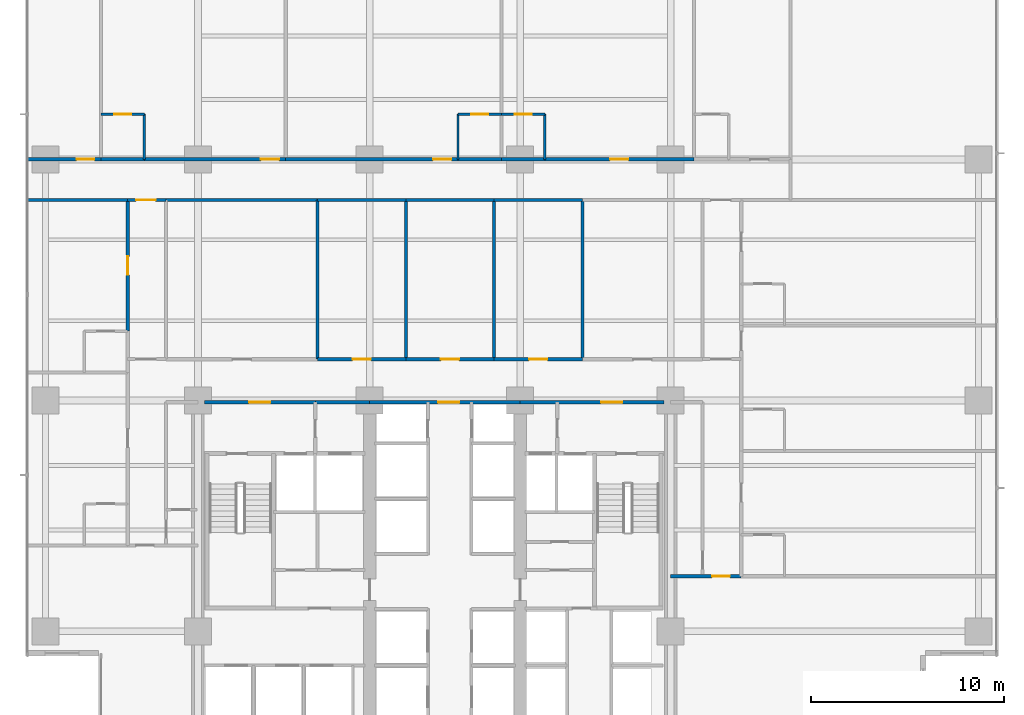
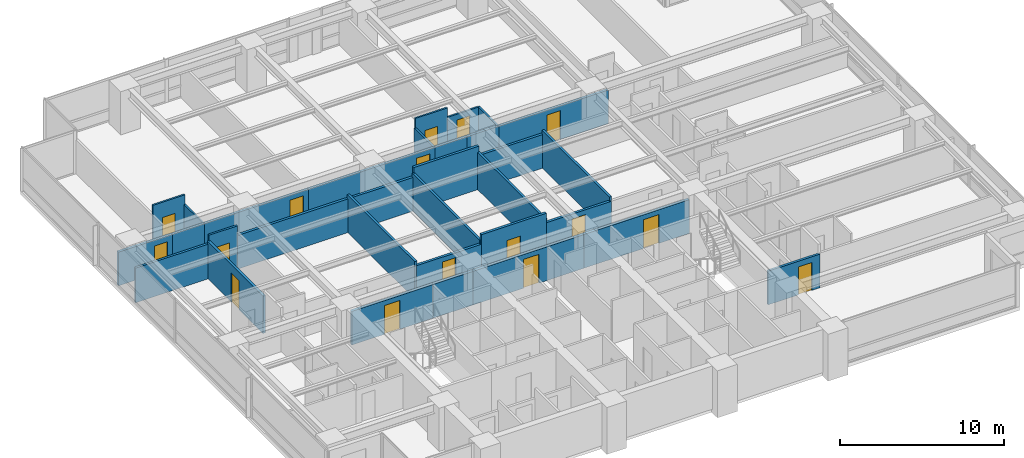
# One storey, part 9 of 17: 32 walls, 16 doors, 16 openings.
"""IFC4 building model written with IfcOpenShell, lengths in metres."""

import ifcopenshell
import ifcopenshell.guid

model = None  # the IFC model being written
_history = None  # IfcOwnerHistory: only IFC2X3 demands one
_inside = {}  # id of a spatial element -> (the spatial element, [elements in it])
_under = {}  # id of a project, library or spatial element -> (it, [spatial elements below it])
_declared = {}  # id of a project -> (the project, [libraries it declares])
_typed = {}  # id of a type object -> (the type object, [elements of that type])
_made_of = {}  # id of a material, layer set ... -> (it, [elements and type objects made of it])


def new_model(schema):
    """Start an empty IFC model of exactly this schema.

    Asked for "IFC4X3", IfcOpenShell would pick the latest addendum, in which some entities
    have other attributes; the version numbers below select the first issue.
    IFC2X3 requires an IfcOwnerHistory on every rooted entity: one is made here for all.
    """
    global model, _history
    if schema == "IFC4X3":
        model = ifcopenshell.file(schema_version=(4, 3, 0, 0))
    else:
        model = ifcopenshell.file(schema=schema)
    _inside.clear()
    _under.clear()
    _declared.clear()
    _typed.clear()
    _made_of.clear()
    _history = None
    if model.schema == "IFC2X3":
        org = make("IfcOrganization", Name="unknown")
        user = make(
            "IfcPersonAndOrganization",
            ThePerson=make("IfcPerson", FamilyName="unknown"),
            TheOrganization=org,
        )
        app = make(
            "IfcApplication",
            ApplicationDeveloper=org,
            Version="unknown",
            ApplicationFullName="unknown",
            ApplicationIdentifier="unknown",
        )
        _history = make(
            "IfcOwnerHistory",
            OwningUser=user,
            OwningApplication=app,
            ChangeAction="ADDED",
            CreationDate=0,
        )
    return model


def make(cls, **values):
    """One entity of the class cls with the attributes given. An attribute that is None is left unset."""
    return model.create_entity(
        cls, **{name: value for name, value in values.items() if value is not None}
    )


def rooted(cls, **values):
    """An entity with a GlobalId (a new one), such as an element, a storey or a relation."""
    return make(cls, GlobalId=ifcopenshell.guid.new(), OwnerHistory=_history, **values)


def si_unit(unit_type, name, prefix=None):
    """IfcSIUnit, for example si_unit("LENGTHUNIT", "METRE", prefix="MILLI")."""
    return make("IfcSIUnit", UnitType=unit_type, Prefix=prefix, Name=name)


def assignment(units):
    """IfcUnitAssignment: the units of a project."""
    return None if units is None else make("IfcUnitAssignment", Units=units)


def point(xyz):
    """IfcCartesianPoint."""
    return None if xyz is None else make("IfcCartesianPoint", Coordinates=xyz)


def direction(xyz):
    """IfcDirection."""
    return None if xyz is None else make("IfcDirection", DirectionRatios=xyz)


def frame(location, z_axis=None, x_axis=None):
    """IfcAxis2Placement3D, a coordinate frame: its origin and axes. An axis left out is left unset."""
    return make(
        "IfcAxis2Placement3D",
        Location=point(location),
        Axis=direction(z_axis),
        RefDirection=direction(x_axis),
    )


def frame_2d(location, x_axis=None):
    """IfcAxis2Placement2D, a coordinate frame in the plane: its origin and x axis."""
    return make(
        "IfcAxis2Placement2D", Location=point(location), RefDirection=direction(x_axis)
    )


def origin():
    """The frame at (0, 0, 0) with its axes left unset."""
    return frame((0.0, 0.0, 0.0))


def place(relative_to, where):
    """IfcLocalPlacement: puts the frame where relative to a parent placement (None: the world)."""
    return make(
        "IfcLocalPlacement", PlacementRelTo=relative_to, RelativePlacement=where
    )


def context(
    kind, dimensions, precision=None, world=None, true_north=None, identifier=None
):
    """IfcGeometricRepresentationContext, for example the 3D "Model" context."""
    return make(
        "IfcGeometricRepresentationContext",
        ContextIdentifier=identifier,
        ContextType=kind,
        CoordinateSpaceDimension=dimensions,
        Precision=precision,
        WorldCoordinateSystem=world,
        TrueNorth=true_north,
    )


def subcontext(parent, identifier, kind, view, scale=None):
    """IfcGeometricRepresentationSubContext, for example "Body" below "Model"."""
    return make(
        "IfcGeometricRepresentationSubContext",
        ContextIdentifier=identifier,
        ContextType=kind,
        ParentContext=parent,
        TargetScale=scale,
        TargetView=view,
    )


def project(units=None, contexts=None):
    """IfcProject with its units and contexts."""
    return rooted(
        "IfcProject",
        Name="project",
        RepresentationContexts=contexts,
        UnitsInContext=assignment(units),
    )


def spatial(cls, under=None, at=None, **own):
    """A site, building, storey or space (cls), placed at a placement, below another one or the project."""
    s = rooted(cls, ObjectPlacement=at, **own)
    if under is not None:
        _under.setdefault(under.id(), (under, []))[1].append(s)
    return s


def profile(cls, at=None, kind="AREA", **sizes):
    """A parametric profile (cls). Its sizes go by their IFC names, for example OverallWidth=200.0."""
    return make(cls, ProfileType=kind, Position=at, **sizes)


def rectangle(**sizes):
    """IfcRectangleProfileDef."""
    return profile("IfcRectangleProfileDef", **sizes)


def extrude(swept, where, along, depth):
    """IfcExtrudedAreaSolid: the profile swept, set in the frame where, extruded along a direction by depth."""
    return make(
        "IfcExtrudedAreaSolid",
        SweptArea=swept,
        Position=where,
        ExtrudedDirection=direction(along),
        Depth=depth,
    )


def shape(context_of_items, identifier, shape_type, items):
    """IfcShapeRepresentation: the items that make up one representation, for example the "Body"."""
    return make(
        "IfcShapeRepresentation",
        ContextOfItems=context_of_items,
        RepresentationIdentifier=identifier,
        RepresentationType=shape_type,
        Items=items,
    )


def material(Name=None, Category=None):
    """IfcMaterial."""
    return make("IfcMaterial", Name=Name, Category=Category)


def layer(
    of_material, thickness, ventilated=None, Name=None, Category=None, Priority=None
):
    """IfcMaterialLayer: one layer of a wall or slab, of a material (None: an air gap)."""
    return make(
        "IfcMaterialLayer",
        Material=of_material,
        LayerThickness=thickness,
        IsVentilated=ventilated,
        Name=Name,
        Category=Category,
        Priority=Priority,
    )


def layer_set(layers, Name=None):
    """IfcMaterialLayerSet."""
    return make("IfcMaterialLayerSet", MaterialLayers=layers, LayerSetName=Name)


def made_of(thing, what):
    """Note that an element or type object is made of a material, layer set ...; save() writes the relation."""
    if what is not None:
        _made_of.setdefault(what.id(), (what, []))[1].append(thing)
    return thing


def type_object(cls, material=None, **own):
    """A type object (cls), such as IfcWallType, which elements share."""
    return made_of(rooted(cls, **own), material)


def element(
    cls,
    number,
    at=None,
    inside=None,
    cuts=None,
    type_object=None,
    material=None,
    context=None,
    identifier="Body",
    shape_type=None,
    held_by="IfcProductDefinitionShape",
    body=None,
    shapes=None,
    **own,
):
    """One element of the class cls, such as IfcWall. Its Tag is "e" and its number.

    at: its placement. inside: the storey or other place that contains it. cuts: it is an
    opening in that element (IfcRelVoidsElement). A single representation is given by context,
    identifier, shape_type and body (its items); several are given by shapes. held_by: the class
    of the entity that holds the representations. save() writes the other relations.
    """
    e = rooted(cls, Tag="e%d" % number, ObjectPlacement=at, **own)
    if body is not None:
        shapes = [shape(context, identifier, shape_type, body)]
    if shapes is not None:
        e.Representation = make(held_by, Representations=shapes)
    if inside is not None:
        _inside.setdefault(inside.id(), (inside, []))[1].append(e)
    if cuts is not None:
        rooted(
            "IfcRelVoidsElement", RelatingBuildingElement=cuts, RelatedOpeningElement=e
        )
    if type_object is not None:
        _typed.setdefault(type_object.id(), (type_object, []))[1].append(e)
    return made_of(e, material)


def fill(opening, filler):
    """IfcRelFillsElement: the door or window that sits in an opening."""
    return rooted(
        "IfcRelFillsElement",
        RelatingOpeningElement=opening,
        RelatedBuildingElement=filler,
    )


def aggregate(whole, parts):
    """IfcRelAggregates: a whole, such as a stair, and the parts it consists of."""
    return rooted("IfcRelAggregates", RelatingObject=whole, RelatedObjects=parts)


def save(model, path):
    """Write the relations noted so far, then the file.

    IfcRelAggregates (storeys below a building ...), IfcRelContainedInSpatialStructure (elements
    in a storey), IfcRelDefinesByType, IfcRelAssociatesMaterial and IfcRelDeclares: one each for
    every whole, place, type object, material and project.
    """
    for whole, parts in _under.values():
        aggregate(whole, parts)
    for where, things in _inside.values():
        rooted(
            "IfcRelContainedInSpatialStructure",
            RelatedElements=things,
            RelatingStructure=where,
        )
    for kind, things in _typed.values():
        rooted("IfcRelDefinesByType", RelatedObjects=things, RelatingType=kind)
    for what, things in _made_of.values():
        rooted("IfcRelAssociatesMaterial", RelatedObjects=things, RelatingMaterial=what)
    for by, libraries in _declared.values():
        rooted("IfcRelDeclares", RelatingContext=by, RelatedDefinitions=libraries)
    model.write(path)


model = new_model("IFC4")

# Units and contexts
model_context = context("Model", 3, precision=1e-05, world=origin(), true_north=direction((0.0, 1.0)))
body_context = subcontext(model_context, "Body", "Model", "MODEL_VIEW")
ifc_project = project(units=[si_unit("LENGTHUNIT", "METRE"), si_unit("AREAUNIT", "SQUARE_METRE"), si_unit("VOLUMEUNIT", "CUBIC_METRE"), si_unit("PLANEANGLEUNIT", "RADIAN"), si_unit("MASSUNIT", "GRAM", prefix="KILO")], contexts=[model_context])

# Site, building, storey
site_placement = place(None, origin())
site = spatial("IfcSite", under=ifc_project, at=site_placement, CompositionType="ELEMENT")
building_placement = place(site_placement, origin())
building = spatial("IfcBuilding", under=site, at=building_placement, Name="Qalmaran Belvedere Hotel", CompositionType="ELEMENT")
storey_placement = place(building_placement, frame((0.0, 0.0, 47.39990234375)))
storey = spatial("IfcBuildingStorey", under=building, at=storey_placement, Name="L11", CompositionType="ELEMENT", Elevation=47.39990234375)

# Wall, opening, door
ifc_material_1 = material(Name="Moisture-Resistant Gypsum")
ifc_layer_1 = layer(ifc_material_1, 0.1201171875, Name="Moisture-Resistant Gypsum")
ifc_layer_set_1 = layer_set([ifc_layer_1], Name="Moisture-Resistant Gypsum")
wall_type_1 = type_object("IfcWallType", Name="WL-INT-120-BATH", PredefinedType="PARTITIONING", material=ifc_layer_set_1)
wall_1_placement = place(storey_placement, frame((15.27001953125, 35.35009765625, 0.0), z_axis=(0.0, 0.0, 1.0), x_axis=(1.0, 0.0, 0.0)))
wall_1 = element("IfcWall", 1, at=wall_1_placement, inside=storey, type_object=wall_type_1, Name="L11 Partition WL-L11-NBN00", PredefinedType="PARTITIONING", context=body_context, shape_type="SweptSolid", body=[
    extrude(rectangle(XDim=2.25, YDim=0.1201171875, at=frame_2d((1.125, 0.0))), origin(), (0.0, 0.0, 1.0), 3.22021484375),
])
opening_1_placement = place(wall_1_placement, frame((1.56494140625, 0.0, 0.0), z_axis=(0.0, 0.0, 1.0), x_axis=(-1.0, 0.0, 0.0)))
opening_1 = element("IfcOpeningElement", 2, at=opening_1_placement, cuts=wall_1, Name="Opening D-BATH", PredefinedType="OPENING", context=body_context, shape_type="SweptSolid", body=[
    extrude(rectangle(XDim=0.8798828125, YDim=2.080078125, at=frame_2d((0.43994140625, 1.0400390625))), frame((0.0, 0.070068359375, 0.0), z_axis=(0.0, -1.0, 0.0), x_axis=(1.0, 0.0, 0.0)), (0.0, 0.0, 1.0), 0.14013671875),
])
ifc_material_2 = material(Name="Engineered Oak Veneer")
door_type_1 = type_object("IfcDoorType", Name="DR-INT-BATH-880X2080", OperationType="NOTDEFINED", PredefinedType="DOOR", material=ifc_material_2)
door_1_placement = place(opening_1_placement, origin())
door_1 = element("IfcDoor", 3, at=door_1_placement, inside=storey, type_object=door_type_1, Name="L11 Ensuite Bathroom Door N01", OperationType="SINGLE_SWING_RIGHT", OverallHeight=2.080078125, OverallWidth=0.8798828125, PredefinedType="DOOR", context=body_context, shape_type="SweptSolid", body=[
    extrude(rectangle(XDim=0.8798828125, YDim=2.080078125, at=frame_2d((0.43994140625, 1.0400390625))), frame((0.0, 0.02490234375, 0.0), z_axis=(0.0, -1.0, 0.0), x_axis=(1.0, 0.0, 0.0)), (0.0, 0.0, 1.0), 0.050048828125),
])
fill(opening_1, door_1)

# Wall
wall_2_placement = place(storey_placement, frame((17.52001953125, 33.0, 0.0), z_axis=(0.0, 0.0, 1.0), x_axis=(0.0, 1.0, 0.0)))
element("IfcWall", 4, at=wall_2_placement, inside=storey, type_object=wall_type_1, Name="L11 Partition WL-L11-NBS00", PredefinedType="PARTITIONING", context=body_context, shape_type="SweptSolid", body=[
    extrude(rectangle(XDim=2.35009765625, YDim=0.1201171875, at=frame_2d((1.175048828125, 0.0))), origin(), (0.0, 0.0, 1.0), 2.510009765625),
])

# Wall, opening, door
wall_3_placement = place(storey_placement, frame((33.773193359375, 35.35009765625, 0.0), z_axis=(0.0, 0.0, 1.0), x_axis=(1.0, 0.0, 0.0)))
wall_3 = element("IfcWall", 5, at=wall_3_placement, inside=storey, type_object=wall_type_1, Name="L11 Partition WL-L11-NBN01", PredefinedType="PARTITIONING", context=body_context, shape_type="SweptSolid", body=[
    extrude(rectangle(XDim=2.25, YDim=0.1201171875, at=frame_2d((1.125, 0.0))), origin(), (0.0, 0.0, 1.0), 3.22021484375),
])
opening_2_placement = place(wall_3_placement, frame((1.56494140625, 0.0, 0.0), z_axis=(0.0, 0.0, 1.0), x_axis=(-1.0, 0.0, 0.0)))
opening_2 = element("IfcOpeningElement", 6, at=opening_2_placement, cuts=wall_3, Name="Opening D-BATH", PredefinedType="OPENING", context=body_context, shape_type="SweptSolid", body=[
    extrude(rectangle(XDim=0.8798828125, YDim=2.080078125, at=frame_2d((0.43994140625, 1.0400390625))), frame((0.0, 0.070068359375, 0.0), z_axis=(0.0, -1.0, 0.0), x_axis=(1.0, 0.0, 0.0)), (0.0, 0.0, 1.0), 0.14013671875),
])
door_2_placement = place(opening_2_placement, origin())
door_2 = element("IfcDoor", 7, at=door_2_placement, inside=storey, type_object=door_type_1, Name="L11 Ensuite Bathroom Door N02", OperationType="SINGLE_SWING_RIGHT", OverallHeight=2.080078125, OverallWidth=0.8798828125, PredefinedType="DOOR", context=body_context, shape_type="SweptSolid", body=[
    extrude(rectangle(XDim=0.8798828125, YDim=2.080078125, at=frame_2d((0.43994140625, 1.0400390625))), frame((0.0, 0.02490234375, 0.0), z_axis=(0.0, -1.0, 0.0), x_axis=(1.0, 0.0, 0.0)), (0.0, 0.0, 1.0), 0.050048828125),
])
fill(opening_2, door_2)

# Wall
wall_4_placement = place(storey_placement, frame((33.773193359375, 33.0, 0.0), z_axis=(0.0, 0.0, 1.0), x_axis=(0.0, 1.0, 0.0)))
element("IfcWall", 8, at=wall_4_placement, inside=storey, type_object=wall_type_1, Name="L11 Partition WL-L11-NBS01", PredefinedType="PARTITIONING", context=body_context, shape_type="SweptSolid", body=[
    extrude(rectangle(XDim=2.35009765625, YDim=0.1201171875, at=frame_2d((1.175048828125, 0.0))), origin(), (0.0, 0.0, 1.0), 2.510009765625),
])

# Wall, opening, door
wall_5_placement = place(storey_placement, frame((36.023193359375, 35.35009765625, 0.0), z_axis=(0.0, 0.0, 1.0), x_axis=(1.0, 0.0, 0.0)))
wall_5 = element("IfcWall", 9, at=wall_5_placement, inside=storey, type_object=wall_type_1, Name="L11 Partition WL-L11-NBN02", PredefinedType="PARTITIONING", context=body_context, shape_type="SweptSolid", body=[
    extrude(rectangle(XDim=2.25, YDim=0.1201171875, at=frame_2d((1.125, 0.0))), origin(), (0.0, 0.0, 1.0), 2.510009765625),
])
opening_3_placement = place(wall_5_placement, frame((1.56494140625, 0.0, 0.0), z_axis=(0.0, 0.0, 1.0), x_axis=(-1.0, 0.0, 0.0)))
opening_3 = element("IfcOpeningElement", 10, at=opening_3_placement, cuts=wall_5, Name="Opening D-BATH", PredefinedType="OPENING", context=body_context, shape_type="SweptSolid", body=[
    extrude(rectangle(XDim=0.8798828125, YDim=2.080078125, at=frame_2d((0.43994140625, 1.0400390625))), frame((0.0, 0.070068359375, 0.0), z_axis=(0.0, -1.0, 0.0), x_axis=(1.0, 0.0, 0.0)), (0.0, 0.0, 1.0), 0.14013671875),
])
door_3_placement = place(opening_3_placement, origin())
door_3 = element("IfcDoor", 11, at=door_3_placement, inside=storey, type_object=door_type_1, Name="L11 Ensuite Bathroom Door N03", OperationType="SINGLE_SWING_RIGHT", OverallHeight=2.080078125, OverallWidth=0.8798828125, PredefinedType="DOOR", context=body_context, shape_type="SweptSolid", body=[
    extrude(rectangle(XDim=0.8798828125, YDim=2.080078125, at=frame_2d((0.43994140625, 1.0400390625))), frame((0.0, 0.02490234375, 0.0), z_axis=(0.0, -1.0, 0.0), x_axis=(1.0, 0.0, 0.0)), (0.0, 0.0, 1.0), 0.050048828125),
])
fill(opening_3, door_3)

# Wall
wall_6_placement = place(storey_placement, frame((38.273193359375, 33.0, 0.0), z_axis=(0.0, 0.0, 1.0), x_axis=(0.0, 1.0, 0.0)))
element("IfcWall", 12, at=wall_6_placement, inside=storey, type_object=wall_type_1, Name="L11 Partition WL-L11-NBS02", PredefinedType="PARTITIONING", context=body_context, shape_type="SweptSolid", body=[
    extrude(rectangle(XDim=2.35009765625, YDim=0.1201171875, at=frame_2d((1.175048828125, 0.0))), origin(), (0.0, 0.0, 1.0), 2.510009765625),
])

# Wall, opening, door
ifc_material_3 = material(Name="Gypsum Stud Partition")
ifc_layer_2 = layer(ifc_material_3, 0.14990234375, Name="Gypsum Stud Partition")
ifc_layer_set_2 = layer_set([ifc_layer_2], Name="Gypsum Stud Partition")
wall_type_2 = type_object("IfcWallType", Name="WL-INT-150-EI60", PredefinedType="PARTITIONING", material=ifc_layer_set_2)
wall_7_placement = place(storey_placement, frame((16.64990234375, 30.89990234375, 0.0), z_axis=(0.0, 0.0, 1.0), x_axis=(1.0, 0.0, 0.0)))
wall_7 = element("IfcWall", 13, at=wall_7_placement, inside=storey, type_object=wall_type_2, Name="L11 Partition WL-L11-XCW2", PredefinedType="PARTITIONING", context=body_context, shape_type="SweptSolid", body=[
    extrude(rectangle(XDim=2.0, YDim=0.14990234375, at=frame_2d((1.0, 0.0))), origin(), (0.0, 0.0, 1.0), 3.22021484375),
])
opening_4_placement = place(wall_7_placement, frame((0.449951171875, 0.0, 0.0)))
opening_4 = element("IfcOpeningElement", 14, at=opening_4_placement, cuts=wall_7, Name="Opening FD90B", PredefinedType="OPENING", context=body_context, shape_type="SweptSolid", body=[
    extrude(rectangle(XDim=1.0, YDim=2.14990234375, at=frame_2d((0.5, 1.074951171875))), frame((0.0, 0.0849609375, 0.0), z_axis=(0.0, -1.0, 0.0), x_axis=(1.0, 0.0, 0.0)), (0.0, 0.0, 1.0), 0.169921875),
])
ifc_material_4 = material(Name="Steel S355JR", Category="steel")
door_type_2 = type_object("IfcDoorType", Name="DR-FD90B-1000X2150", OperationType="NOTDEFINED", PredefinedType="DOOR", material=ifc_material_4)
door_4_placement = place(opening_4_placement, origin())
door_4 = element("IfcDoor", 15, at=door_4_placement, inside=storey, type_object=door_type_2, Name="L11 West Corridor Smoke Door N", OperationType="SINGLE_SWING_RIGHT", OverallHeight=2.14990234375, OverallWidth=1.0, PredefinedType="DOOR", context=body_context, shape_type="SweptSolid", body=[
    extrude(rectangle(XDim=1.0, YDim=2.14990234375, at=frame_2d((0.5, 1.074951171875))), frame((0.0, 0.02490234375, 0.0), z_axis=(0.0, -1.0, 0.0), x_axis=(1.0, 0.0, 0.0)), (0.0, 0.0, 1.0), 0.050048828125),
])
fill(opening_4, door_4)

ifc_layer_3 = layer(ifc_material_3, 0.159912109375, Name="Gypsum Stud Partition")
ifc_layer_set_3 = layer_set([ifc_layer_3], Name="Gypsum Stud Partition")
wall_type_3 = type_object("IfcWallType", Name="WL-INT-160-EI60", PredefinedType="PARTITIONING", material=ifc_layer_set_3)
wall_8_placement = place(storey_placement, frame((44.800048828125, 11.39990234375, 0.0), z_axis=(0.0, 0.0, 1.0), x_axis=(1.0, 0.0, 0.0)))
wall_8 = element("IfcWall", 16, at=wall_8_placement, inside=storey, type_object=wall_type_3, Name="L11 Partition WL-L11-SERL", PredefinedType="PARTITIONING", context=body_context, shape_type="SweptSolid", body=[
    extrude(rectangle(XDim=3.64990234375, YDim=0.159912109375, at=frame_2d((1.824951171875, 0.0))), origin(), (0.0, 0.0, 1.0), 2.510009765625),
])
opening_5_placement = place(wall_8_placement, frame((3.06982421875, 0.0, 0.0), z_axis=(0.0, 0.0, 1.0), x_axis=(-1.0, 0.0, 0.0)))
opening_5 = element("IfcOpeningElement", 17, at=opening_5_placement, cuts=wall_8, Name="Opening FD60S1", PredefinedType="OPENING", context=body_context, shape_type="SweptSolid", body=[
    extrude(rectangle(XDim=0.919921875, YDim=2.080078125, at=frame_2d((0.4599609375, 1.0400390625))), frame((0.0, 0.08984375, 0.0), z_axis=(0.0, -1.0, 0.0), x_axis=(1.0, 0.0, 0.0)), (0.0, 0.0, 1.0), 0.179931640625),
])
door_type_3 = type_object("IfcDoorType", Name="DR-FD60S-920X2080", OperationType="NOTDEFINED", PredefinedType="DOOR", material=ifc_material_2)
door_5_placement = place(opening_5_placement, origin())
door_5 = element("IfcDoor", 18, at=door_5_placement, inside=storey, type_object=door_type_3, Name="L11 SE Lounge Door", OperationType="SINGLE_SWING_RIGHT", OverallHeight=2.080078125, OverallWidth=0.919921875, PredefinedType="DOOR", context=body_context, shape_type="SweptSolid", body=[
    extrude(rectangle(XDim=0.919921875, YDim=2.080078125, at=frame_2d((0.4599609375, 1.0400390625))), frame((0.0, 0.02490234375, 0.0), z_axis=(0.0, -1.0, 0.0), x_axis=(1.0, 0.0, 0.0)), (0.0, 0.0, 1.0), 0.050048828125),
])
fill(opening_5, door_5)

# Walls
for number, where, z_axis, x_axis, name in (
    (19, (26.5, 22.64990234375, 0.0), (0.0, 0.0, 1.0), (0.0, 1.0, 0.0), "L11 Partition WL-L11-MIDVR1"),
    (20, (31.074951171875, 22.64990234375, 0.0), (0.0, 0.0, 1.0), (0.0, 1.0, 0.0), "L11 Partition WL-L11-MIDVR2"),
    (21, (35.64990234375, 22.64990234375, 0.0), (0.0, 0.0, 1.0), (0.0, 1.0, 0.0), "L11 Partition WL-L11-MIDVR3"),
    (22, (40.22509765625, 22.64990234375, 0.0), (0.0, 0.0, 1.0), (0.0, 1.0, 0.0), "L11 Partition WL-L11-MIDVR4"),
):
    element("IfcWall", number, at=place(storey_placement, frame(where, z_axis=z_axis, x_axis=x_axis)), inside=storey, type_object=wall_type_3, Name=name, PredefinedType="PARTITIONING", context=body_context, shape_type="SweptSolid", body=[
        extrude(rectangle(XDim=8.25, YDim=0.159912109375, at=frame_2d((4.125, 0.0))), origin(), (0.0, 0.0, 1.0), 2.7880859375),
    ])
wall_9_placement = place(storey_placement, frame((11.469970703125, 30.89990234375, 0.0), z_axis=(0.0, 0.0, 1.0), x_axis=(1.0, 0.0, 0.0)))
element("IfcWall", 23, at=wall_9_placement, inside=storey, type_object=wall_type_3, Name="L11 Partition WL-L11-WU01", PredefinedType="PARTITIONING", context=body_context, shape_type="SweptSolid", body=[
    extrude(rectangle(XDim=5.179931640625, YDim=0.159912109375, at=frame_2d((2.58984375, 0.0))), origin(), (0.0, 0.0, 1.0), 2.5830078125),
])
ifc_layer_4 = layer(ifc_material_3, 0.179931640625, Name="Gypsum Stud Partition")
ifc_layer_set_4 = layer_set([ifc_layer_4], Name="Gypsum Stud Partition")
wall_type_4 = type_object("IfcWallType", Name="WL-INT-180-EI60", PredefinedType="PARTITIONING", material=ifc_layer_set_4)
wall_10_placement = place(storey_placement, frame((18.64990234375, 30.89990234375, 0.0), z_axis=(0.0, 0.0, 1.0), x_axis=(1.0, 0.0, 0.0)))
element("IfcWall", 24, at=wall_10_placement, inside=storey, type_object=wall_type_4, Name="L11 Partition WL-L11-MIDO1", PredefinedType="PARTITIONING", context=body_context, shape_type="SweptSolid", body=[
    extrude(rectangle(XDim=7.85009765625, YDim=0.179931640625, at=frame_2d((3.925048828125, 0.0))), origin(), (0.0, 0.0, 1.0), 2.510009765625),
])

# Wall, opening, door
wall_11_placement = place(storey_placement, frame((26.5, 22.64990234375, 0.0), z_axis=(0.0, 0.0, 1.0), x_axis=(1.0, 0.0, 0.0)))
wall_11 = element("IfcWall", 25, at=wall_11_placement, inside=storey, type_object=wall_type_4, Name="L11 Partition WL-L11-MIDD2", PredefinedType="PARTITIONING", context=body_context, shape_type="SweptSolid", body=[
    extrude(rectangle(XDim=4.574951171875, YDim=0.179931640625, at=frame_2d((2.28759765625, 0.0))), origin(), (0.0, 0.0, 1.0), 2.510009765625),
])
opening_6_placement = place(wall_11_placement, frame((1.8125, 0.0, 0.0)))
opening_6 = element("IfcOpeningElement", 26, at=opening_6_placement, cuts=wall_11, Name="Opening FD60", PredefinedType="OPENING", context=body_context, shape_type="SweptSolid", body=[
    extrude(rectangle(XDim=0.949951171875, YDim=2.14990234375, at=frame_2d((0.47509765625, 1.074951171875))), frame((0.0, 0.10009765625, 0.0), z_axis=(0.0, -1.0, 0.0), x_axis=(1.0, 0.0, 0.0)), (0.0, 0.0, 1.0), 0.199951171875),
])
door_type_4 = type_object("IfcDoorType", Name="DR-FD60-950X2150", OperationType="NOTDEFINED", PredefinedType="DOOR", material=ifc_material_2)
door_6_placement = place(opening_6_placement, origin())
door_6 = element("IfcDoor", 27, at=door_6_placement, inside=storey, type_object=door_type_4, Name="L11 Valet Closet Door", OperationType="SINGLE_SWING_RIGHT", OverallHeight=2.14990234375, OverallWidth=0.949951171875, PredefinedType="DOOR", context=body_context, shape_type="SweptSolid", body=[
    extrude(rectangle(XDim=0.949951171875, YDim=2.14990234375, at=frame_2d((0.47509765625, 1.074951171875))), frame((0.0, 0.02490234375, 0.0), z_axis=(0.0, -1.0, 0.0), x_axis=(1.0, 0.0, 0.0)), (0.0, 0.0, 1.0), 0.050048828125),
])
fill(opening_6, door_6)

# Wall
wall_12_placement = place(storey_placement, frame((26.5, 30.89990234375, 0.0), z_axis=(0.0, 0.0, 1.0), x_axis=(1.0, 0.0, 0.0)))
element("IfcWall", 28, at=wall_12_placement, inside=storey, type_object=wall_type_4, Name="L11 Partition WL-L11-MIDO2", PredefinedType="PARTITIONING", context=body_context, shape_type="SweptSolid", body=[
    extrude(rectangle(XDim=4.574951171875, YDim=0.179931640625, at=frame_2d((2.28759765625, 0.0))), origin(), (0.0, 0.0, 1.0), 2.510009765625),
])

# Wall, opening, door
wall_13_placement = place(storey_placement, frame((31.074951171875, 22.64990234375, 0.0), z_axis=(0.0, 0.0, 1.0), x_axis=(1.0, 0.0, 0.0)))
wall_13 = element("IfcWall", 29, at=wall_13_placement, inside=storey, type_object=wall_type_4, Name="L11 Partition WL-L11-MIDD3", PredefinedType="PARTITIONING", context=body_context, shape_type="SweptSolid", body=[
    extrude(rectangle(XDim=4.574951171875, YDim=0.179931640625, at=frame_2d((2.28759765625, 0.0))), origin(), (0.0, 0.0, 1.0), 3.22021484375),
])
opening_7_placement = place(wall_13_placement, frame((1.8125, 0.0, 0.0)))
opening_7 = element("IfcOpeningElement", 30, at=opening_7_placement, cuts=wall_13, Name="Opening FD60", PredefinedType="OPENING", context=body_context, shape_type="SweptSolid", body=[
    extrude(rectangle(XDim=0.949951171875, YDim=2.14990234375, at=frame_2d((0.47509765625, 1.074951171875))), frame((0.0, 0.10009765625, 0.0), z_axis=(0.0, -1.0, 0.0), x_axis=(1.0, 0.0, 0.0)), (0.0, 0.0, 1.0), 0.199951171875),
])
door_7_placement = place(opening_7_placement, origin())
door_7 = element("IfcDoor", 31, at=door_7_placement, inside=storey, type_object=door_type_4, Name="L11 Luggage Store Door", OperationType="SINGLE_SWING_LEFT", OverallHeight=2.14990234375, OverallWidth=0.949951171875, PredefinedType="DOOR", context=body_context, shape_type="SweptSolid", body=[
    extrude(rectangle(XDim=0.949951171875, YDim=2.14990234375, at=frame_2d((0.47509765625, 1.074951171875))), frame((0.0, 0.02490234375, 0.0), z_axis=(0.0, -1.0, 0.0), x_axis=(1.0, 0.0, 0.0)), (0.0, 0.0, 1.0), 0.050048828125),
])
fill(opening_7, door_7)

# Wall
wall_14_placement = place(storey_placement, frame((31.074951171875, 30.89990234375, 0.0), z_axis=(0.0, 0.0, 1.0), x_axis=(1.0, 0.0, 0.0)))
element("IfcWall", 32, at=wall_14_placement, inside=storey, type_object=wall_type_4, Name="L11 Partition WL-L11-MIDO3", PredefinedType="PARTITIONING", context=body_context, shape_type="SweptSolid", body=[
    extrude(rectangle(XDim=4.574951171875, YDim=0.179931640625, at=frame_2d((2.28759765625, 0.0))), origin(), (0.0, 0.0, 1.0), 3.22021484375),
])

# Wall, opening, door
wall_15_placement = place(storey_placement, frame((35.64990234375, 22.64990234375, 0.0), z_axis=(0.0, 0.0, 1.0), x_axis=(1.0, 0.0, 0.0)))
wall_15 = element("IfcWall", 33, at=wall_15_placement, inside=storey, type_object=wall_type_4, Name="L11 Partition WL-L11-MIDD4", PredefinedType="PARTITIONING", context=body_context, shape_type="SweptSolid", body=[
    extrude(rectangle(XDim=4.5751953125, YDim=0.179931640625, at=frame_2d((2.28759765625, 0.0))), origin(), (0.0, 0.0, 1.0), 2.510009765625),
])
opening_8_placement = place(wall_15_placement, frame((1.8125, 0.0, 0.0)))
opening_8 = element("IfcOpeningElement", 34, at=opening_8_placement, cuts=wall_15, Name="Opening FD60", PredefinedType="OPENING", context=body_context, shape_type="SweptSolid", body=[
    extrude(rectangle(XDim=0.949951171875, YDim=2.14990234375, at=frame_2d((0.47509765625, 1.074951171875))), frame((0.0, 0.10009765625, 0.0), z_axis=(0.0, -1.0, 0.0), x_axis=(1.0, 0.0, 0.0)), (0.0, 0.0, 1.0), 0.199951171875),
])
door_8_placement = place(opening_8_placement, origin())
door_8 = element("IfcDoor", 35, at=door_8_placement, inside=storey, type_object=door_type_4, Name="L11 Linen Store Door", OperationType="SINGLE_SWING_RIGHT", OverallHeight=2.14990234375, OverallWidth=0.949951171875, PredefinedType="DOOR", context=body_context, shape_type="SweptSolid", body=[
    extrude(rectangle(XDim=0.949951171875, YDim=2.14990234375, at=frame_2d((0.47509765625, 1.074951171875))), frame((0.0, 0.02490234375, 0.0), z_axis=(0.0, -1.0, 0.0), x_axis=(1.0, 0.0, 0.0)), (0.0, 0.0, 1.0), 0.050048828125),
])
fill(opening_8, door_8)

# Walls
wall_16_placement = place(storey_placement, frame((35.64990234375, 30.89990234375, 0.0), z_axis=(0.0, 0.0, 1.0), x_axis=(1.0, 0.0, 0.0)))
element("IfcWall", 36, at=wall_16_placement, inside=storey, type_object=wall_type_4, Name="L11 Partition WL-L11-MIDO4", PredefinedType="PARTITIONING", context=body_context, shape_type="SweptSolid", body=[
    extrude(rectangle(XDim=4.5751953125, YDim=0.179931640625, at=frame_2d((2.28759765625, 0.0))), origin(), (0.0, 0.0, 1.0), 2.510009765625),
])
wall_17_placement = place(storey_placement, frame((15.27001953125, 33.0, 0.0), z_axis=(0.0, 0.0, 1.0), x_axis=(1.0, 0.0, 0.0)))
element("IfcWall", 37, at=wall_17_placement, inside=storey, type_object=wall_type_4, Name="L11 Partition WL-L11-NBC00", PredefinedType="PARTITIONING", context=body_context, shape_type="SweptSolid", body=[
    extrude(rectangle(XDim=2.25, YDim=0.179931640625, at=frame_2d((1.125, 0.0))), origin(), (0.0, 0.0, 1.0), 2.510009765625),
])

# Wall, opening, door
wall_18_placement = place(storey_placement, frame((17.52001953125, 33.0, 0.0), z_axis=(0.0, 0.0, 1.0), x_axis=(1.0, 0.0, 0.0)))
wall_18 = element("IfcWall", 38, at=wall_18_placement, inside=storey, type_object=wall_type_4, Name="L11 Partition WL-L11-NEC00", PredefinedType="PARTITIONING", context=body_context, shape_type="SweptSolid", body=[
    extrude(rectangle(XDim=7.328369140625, YDim=0.179931640625, at=frame_2d((3.6640625, 0.0))), origin(), (0.0, 0.0, 1.0), 2.510009765625),
])
opening_9_placement = place(wall_18_placement, frame((6.03955078125, 0.0, 0.0)))
opening_9 = element("IfcOpeningElement", 39, at=opening_9_placement, cuts=wall_18, Name="Opening FD60", PredefinedType="OPENING", context=body_context, shape_type="SweptSolid", body=[
    extrude(rectangle(XDim=0.949951171875, YDim=2.14990234375, at=frame_2d((0.47509765625, 1.074951171875))), frame((0.0, 0.10009765625, 0.0), z_axis=(0.0, -1.0, 0.0), x_axis=(1.0, 0.0, 0.0)), (0.0, 0.0, 1.0), 0.199951171875),
])
door_9_placement = place(opening_9_placement, origin())
door_9 = element("IfcDoor", 40, at=door_9_placement, inside=storey, type_object=door_type_4, Name="L11 Guest Entrance Door N01", OperationType="SINGLE_SWING_LEFT", OverallHeight=2.14990234375, OverallWidth=0.949951171875, PredefinedType="DOOR", context=body_context, shape_type="SweptSolid", body=[
    extrude(rectangle(XDim=0.949951171875, YDim=2.14990234375, at=frame_2d((0.47509765625, 1.074951171875))), frame((0.0, 0.02490234375, 0.0), z_axis=(0.0, -1.0, 0.0), x_axis=(1.0, 0.0, 0.0)), (0.0, 0.0, 1.0), 0.050048828125),
])
fill(opening_9, door_9)

# Wall
wall_19_placement = place(storey_placement, frame((33.773193359375, 33.0, 0.0), z_axis=(0.0, 0.0, 1.0), x_axis=(1.0, 0.0, 0.0)))
element("IfcWall", 41, at=wall_19_placement, inside=storey, type_object=wall_type_4, Name="L11 Partition WL-L11-NBC01", PredefinedType="PARTITIONING", context=body_context, shape_type="SweptSolid", body=[
    extrude(rectangle(XDim=2.25, YDim=0.179931640625, at=frame_2d((1.125, 0.0))), origin(), (0.0, 0.0, 1.0), 2.510009765625),
])

# Wall, opening, door
wall_20_placement = place(storey_placement, frame((24.848388671875, 33.0, 0.0), z_axis=(0.0, 0.0, 1.0), x_axis=(1.0, 0.0, 0.0)))
wall_20 = element("IfcWall", 42, at=wall_20_placement, inside=storey, type_object=wall_type_4, Name="L11 Partition WL-L11-NEC01", PredefinedType="PARTITIONING", context=body_context, shape_type="SweptSolid", body=[
    extrude(rectangle(XDim=8.9248046875, YDim=0.179931640625, at=frame_2d((4.46240234375, 0.0))), origin(), (0.0, 0.0, 1.0), 2.510009765625),
])
opening_10_placement = place(wall_20_placement, frame((7.63525390625, 0.0, 0.0)))
opening_10 = element("IfcOpeningElement", 43, at=opening_10_placement, cuts=wall_20, Name="Opening FD60", PredefinedType="OPENING", context=body_context, shape_type="SweptSolid", body=[
    extrude(rectangle(XDim=0.949951171875, YDim=2.14990234375, at=frame_2d((0.47509765625, 1.074951171875))), frame((0.0, 0.10009765625, 0.0), z_axis=(0.0, -1.0, 0.0), x_axis=(1.0, 0.0, 0.0)), (0.0, 0.0, 1.0), 0.199951171875),
])
door_10_placement = place(opening_10_placement, origin())
door_10 = element("IfcDoor", 44, at=door_10_placement, inside=storey, type_object=door_type_4, Name="L11 Guest Entrance Door N02", OperationType="SINGLE_SWING_LEFT", OverallHeight=2.14990234375, OverallWidth=0.949951171875, PredefinedType="DOOR", context=body_context, shape_type="SweptSolid", body=[
    extrude(rectangle(XDim=0.949951171875, YDim=2.14990234375, at=frame_2d((0.47509765625, 1.074951171875))), frame((0.0, 0.02490234375, 0.0), z_axis=(0.0, -1.0, 0.0), x_axis=(1.0, 0.0, 0.0)), (0.0, 0.0, 1.0), 0.050048828125),
])
fill(opening_10, door_10)

# Wall
wall_21_placement = place(storey_placement, frame((36.023193359375, 33.0, 0.0), z_axis=(0.0, 0.0, 1.0), x_axis=(1.0, 0.0, 0.0)))
element("IfcWall", 45, at=wall_21_placement, inside=storey, type_object=wall_type_4, Name="L11 Partition WL-L11-NBC02", PredefinedType="PARTITIONING", context=body_context, shape_type="SweptSolid", body=[
    extrude(rectangle(XDim=2.25, YDim=0.179931640625, at=frame_2d((1.125, 0.0))), origin(), (0.0, 0.0, 1.0), 2.510009765625),
])

# Wall, opening, door
wall_22_placement = place(storey_placement, frame((38.273193359375, 33.0, 0.0), z_axis=(0.0, 0.0, 1.0), x_axis=(1.0, 0.0, 0.0)))
wall_22 = element("IfcWall", 46, at=wall_22_placement, inside=storey, type_object=wall_type_4, Name="L11 Partition WL-L11-NEC02", PredefinedType="PARTITIONING", context=body_context, shape_type="SweptSolid", body=[
    extrude(rectangle(XDim=7.7275390625, YDim=0.179931640625, at=frame_2d((3.86376953125, 0.0))), origin(), (0.0, 0.0, 1.0), 2.510009765625),
])
opening_11_placement = place(wall_22_placement, frame((3.388671875, 0.0, 0.0)))
opening_11 = element("IfcOpeningElement", 47, at=opening_11_placement, cuts=wall_22, Name="Opening FD60", PredefinedType="OPENING", context=body_context, shape_type="SweptSolid", body=[
    extrude(rectangle(XDim=0.949951171875, YDim=2.14990234375, at=frame_2d((0.47509765625, 1.074951171875))), frame((0.0, 0.10009765625, 0.0), z_axis=(0.0, -1.0, 0.0), x_axis=(1.0, 0.0, 0.0)), (0.0, 0.0, 1.0), 0.199951171875),
])
door_11_placement = place(opening_11_placement, origin())
door_11 = element("IfcDoor", 48, at=door_11_placement, inside=storey, type_object=door_type_4, Name="L11 Guest Entrance Door N03", OperationType="SINGLE_SWING_LEFT", OverallHeight=2.14990234375, OverallWidth=0.949951171875, PredefinedType="DOOR", context=body_context, shape_type="SweptSolid", body=[
    extrude(rectangle(XDim=0.949951171875, YDim=2.14990234375, at=frame_2d((0.47509765625, 1.074951171875))), frame((0.0, 0.02490234375, 0.0), z_axis=(0.0, -1.0, 0.0), x_axis=(1.0, 0.0, 0.0)), (0.0, 0.0, 1.0), 0.050048828125),
])
fill(opening_11, door_11)

wall_23_placement = place(storey_placement, frame((16.64990234375, 24.10009765625, 0.0), z_axis=(0.0, 0.0, 1.0), x_axis=(0.0, 1.0, 0.0)))
wall_23 = element("IfcWall", 49, at=wall_23_placement, inside=storey, type_object=wall_type_4, Name="L11 Partition WL-L11-WEC01", PredefinedType="PARTITIONING", context=body_context, shape_type="SweptSolid", body=[
    extrude(rectangle(XDim=6.7998046875, YDim=0.179931640625, at=frame_2d((3.39990234375, 0.0))), origin(), (0.0, 0.0, 1.0), 2.7880859375),
])
opening_12_placement = place(wall_23_placement, frame((2.925048828125, 0.0, 0.0)))
opening_12 = element("IfcOpeningElement", 50, at=opening_12_placement, cuts=wall_23, Name="Opening FD60", PredefinedType="OPENING", context=body_context, shape_type="SweptSolid", body=[
    extrude(rectangle(XDim=0.949951171875, YDim=2.14990234375, at=frame_2d((0.47509765625, 1.074951171875))), frame((0.0, 0.10009765625, 0.0), z_axis=(0.0, -1.0, 0.0), x_axis=(1.0, 0.0, 0.0)), (0.0, 0.0, 1.0), 0.199951171875),
])
door_12_placement = place(opening_12_placement, origin())
door_12 = element("IfcDoor", 51, at=door_12_placement, inside=storey, type_object=door_type_4, Name="L11 W Wing Door 02", OperationType="SINGLE_SWING_LEFT", OverallHeight=2.14990234375, OverallWidth=0.949951171875, PredefinedType="DOOR", context=body_context, shape_type="SweptSolid", body=[
    extrude(rectangle(XDim=0.949951171875, YDim=2.14990234375, at=frame_2d((0.47509765625, 1.074951171875))), frame((0.0, 0.02490234375, 0.0), z_axis=(0.0, -1.0, 0.0), x_axis=(1.0, 0.0, 0.0)), (0.0, 0.0, 1.0), 0.050048828125),
])
fill(opening_12, door_12)

wall_24_placement = place(storey_placement, frame((11.469970703125, 33.0, 0.0), z_axis=(0.0, 0.0, 1.0), x_axis=(1.0, 0.0, 0.0)))
wall_24 = element("IfcWall", 52, at=wall_24_placement, inside=storey, type_object=wall_type_4, Name="L11 Partition WL-L11-NWSD", PredefinedType="PARTITIONING", context=body_context, shape_type="SweptSolid", body=[
    extrude(rectangle(XDim=3.800048828125, YDim=0.179931640625, at=frame_2d((1.89990234375, 0.0))), origin(), (0.0, 0.0, 1.0), 2.510009765625),
])
opening_13_placement = place(wall_24_placement, frame((2.543701171875, 0.0, 0.0)))
opening_13 = element("IfcOpeningElement", 53, at=opening_13_placement, cuts=wall_24, Name="Opening FD60S1", PredefinedType="OPENING", context=body_context, shape_type="SweptSolid", body=[
    extrude(rectangle(XDim=0.919921875, YDim=2.080078125, at=frame_2d((0.4599609375, 1.0400390625))), frame((0.0, 0.10009765625, 0.0), z_axis=(0.0, -1.0, 0.0), x_axis=(1.0, 0.0, 0.0)), (0.0, 0.0, 1.0), 0.199951171875),
])
door_13_placement = place(opening_13_placement, origin())
door_13 = element("IfcDoor", 54, at=door_13_placement, inside=storey, type_object=door_type_3, Name="L11 NW Belvedere Study Door", OperationType="SINGLE_SWING_RIGHT", OverallHeight=2.080078125, OverallWidth=0.919921875, PredefinedType="DOOR", context=body_context, shape_type="SweptSolid", body=[
    extrude(rectangle(XDim=0.919921875, YDim=2.080078125, at=frame_2d((0.4599609375, 1.0400390625))), frame((0.0, 0.02490234375, 0.0), z_axis=(0.0, -1.0, 0.0), x_axis=(1.0, 0.0, 0.0)), (0.0, 0.0, 1.0), 0.050048828125),
])
fill(opening_13, door_13)

ifc_material_5 = material(Name="Concrete C30/37 Blockwork", Category="masonry")
ifc_layer_5 = layer(ifc_material_5, 0.199951171875, Name="Concrete C30/37 Blockwork")
ifc_layer_set_5 = layer_set([ifc_layer_5], Name="Concrete C30/37 Blockwork")
wall_type_5 = type_object("IfcWallType", Name="WL-INT-200-EI120", PredefinedType="PARTITIONING", material=ifc_layer_set_5)
wall_25_placement = place(storey_placement, frame((20.64990234375, 20.419921875, 0.0), z_axis=(0.0, 0.0, 1.0), x_axis=(1.0, 0.0, 0.0)))
wall_25 = element("IfcWall", 55, at=wall_25_placement, inside=storey, type_object=wall_type_5, Name="L11 Partition WL-CN1A-L11", PredefinedType="PARTITIONING", context=body_context, shape_type="SweptSolid", body=[
    extrude(rectangle(XDim=5.72998046875, YDim=0.199951171875, at=frame_2d((2.864990234375, 0.0))), origin(), (0.0, 0.0, 1.0), 2.510009765625),
])
opening_14_placement = place(wall_25_placement, frame((2.300048828125, 0.0, 0.0)))
opening_14 = element("IfcOpeningElement", 56, at=opening_14_placement, cuts=wall_25, Name="Opening FD90", PredefinedType="OPENING", context=body_context, shape_type="SweptSolid", body=[
    extrude(rectangle(XDim=1.10009765625, YDim=2.14990234375, at=frame_2d((0.550048828125, 1.074951171875))), frame((0.0, 0.10986328125, 0.0), z_axis=(0.0, -1.0, 0.0), x_axis=(1.0, 0.0, 0.0)), (0.0, 0.0, 1.0), 0.219970703125),
])
door_type_5 = type_object("IfcDoorType", Name="DR-FD90-1100X2150", OperationType="NOTDEFINED", PredefinedType="DOOR", material=ifc_material_4)
door_14_placement = place(opening_14_placement, origin())
door_14 = element("IfcDoor", 57, at=door_14_placement, inside=storey, type_object=door_type_5, Name="L11 FF1 Lobby Corridor Door", OperationType="SINGLE_SWING_RIGHT", OverallHeight=2.14990234375, OverallWidth=1.10009765625, PredefinedType="DOOR", context=body_context, shape_type="SweptSolid", body=[
    extrude(rectangle(XDim=1.10009765625, YDim=2.14990234375, at=frame_2d((0.550048828125, 1.074951171875))), frame((0.0, 0.02490234375, 0.0), z_axis=(0.0, -1.0, 0.0), x_axis=(1.0, 0.0, 0.0)), (0.0, 0.0, 1.0), 0.050048828125),
])
fill(opening_14, door_14)

# Wall
wall_26_placement = place(storey_placement, frame((26.3798828125, 20.419921875, 0.0), z_axis=(0.0, 0.0, 1.0), x_axis=(1.0, 0.0, 0.0)))
element("IfcWall", 58, at=wall_26_placement, inside=storey, type_object=wall_type_5, Name="L11 Partition WL-CN1B-L11", PredefinedType="PARTITIONING", context=body_context, shape_type="SweptSolid", body=[
    extrude(rectangle(XDim=2.820068359375, YDim=0.199951171875, at=frame_2d((1.41015625, 0.0))), origin(), (0.0, 0.0, 1.0), 2.510009765625),
])

# Wall, opening, door
wall_27_placement = place(storey_placement, frame((29.199951171875, 20.419921875, 0.0), z_axis=(0.0, 0.0, 1.0), x_axis=(1.0, 0.0, 0.0)))
wall_27 = element("IfcWall", 59, at=wall_27_placement, inside=storey, type_object=wall_type_5, Name="L11 Partition WL-CN2-L11", PredefinedType="PARTITIONING", context=body_context, shape_type="SweptSolid", body=[
    extrude(rectangle(XDim=7.800048828125, YDim=0.199951171875, at=frame_2d((3.89990234375, 0.0))), origin(), (0.0, 0.0, 1.0), 2.510009765625),
])
opening_15_placement = place(wall_27_placement, frame((3.550048828125, 0.0, 0.0)))
opening_15 = element("IfcOpeningElement", 60, at=opening_15_placement, cuts=wall_27, Name="Opening FD90", PredefinedType="OPENING", context=body_context, shape_type="SweptSolid", body=[
    extrude(rectangle(XDim=1.10009765625, YDim=2.14990234375, at=frame_2d((0.550048828125, 1.074951171875))), frame((0.0, 0.10986328125, 0.0), z_axis=(0.0, -1.0, 0.0), x_axis=(1.0, 0.0, 0.0)), (0.0, 0.0, 1.0), 0.219970703125),
])
door_15_placement = place(opening_15_placement, origin())
door_15 = element("IfcDoor", 61, at=door_15_placement, inside=storey, type_object=door_type_5, Name="L11 Central Lift Lobby Door", OperationType="SINGLE_SWING_LEFT", OverallHeight=2.14990234375, OverallWidth=1.10009765625, PredefinedType="DOOR", context=body_context, shape_type="SweptSolid", body=[
    extrude(rectangle(XDim=1.10009765625, YDim=2.14990234375, at=frame_2d((0.550048828125, 1.074951171875))), frame((0.0, 0.02490234375, 0.0), z_axis=(0.0, -1.0, 0.0), x_axis=(1.0, 0.0, 0.0)), (0.0, 0.0, 1.0), 0.050048828125),
])
fill(opening_15, door_15)

wall_28_placement = place(storey_placement, frame((37.0, 20.419921875, 0.0), z_axis=(0.0, 0.0, 1.0), x_axis=(1.0, 0.0, 0.0)))
wall_28 = element("IfcWall", 62, at=wall_28_placement, inside=storey, type_object=wall_type_5, Name="L11 Partition WL-CN3-L11", PredefinedType="PARTITIONING", context=body_context, shape_type="SweptSolid", body=[
    extrude(rectangle(XDim=7.449951171875, YDim=0.199951171875, at=frame_2d((3.72509765625, 0.0))), origin(), (0.0, 0.0, 1.0), 2.510009765625),
])
opening_16_placement = place(wall_28_placement, frame((4.199951171875, 0.0, 0.0)))
opening_16 = element("IfcOpeningElement", 63, at=opening_16_placement, cuts=wall_28, Name="Opening FD90", PredefinedType="OPENING", context=body_context, shape_type="SweptSolid", body=[
    extrude(rectangle(XDim=1.10009765625, YDim=2.14990234375, at=frame_2d((0.550048828125, 1.074951171875))), frame((0.0, 0.10986328125, 0.0), z_axis=(0.0, -1.0, 0.0), x_axis=(1.0, 0.0, 0.0)), (0.0, 0.0, 1.0), 0.219970703125),
])
door_16_placement = place(opening_16_placement, origin())
door_16 = element("IfcDoor", 64, at=door_16_placement, inside=storey, type_object=door_type_5, Name="L11 FF2 Lobby Corridor Door", OperationType="SINGLE_SWING_RIGHT", OverallHeight=2.14990234375, OverallWidth=1.10009765625, PredefinedType="DOOR", context=body_context, shape_type="SweptSolid", body=[
    extrude(rectangle(XDim=1.10009765625, YDim=2.14990234375, at=frame_2d((0.550048828125, 1.074951171875))), frame((0.0, 0.02490234375, 0.0), z_axis=(0.0, -1.0, 0.0), x_axis=(1.0, 0.0, 0.0)), (0.0, 0.0, 1.0), 0.050048828125),
])
fill(opening_16, door_16)

save(model, "model.ifc")
